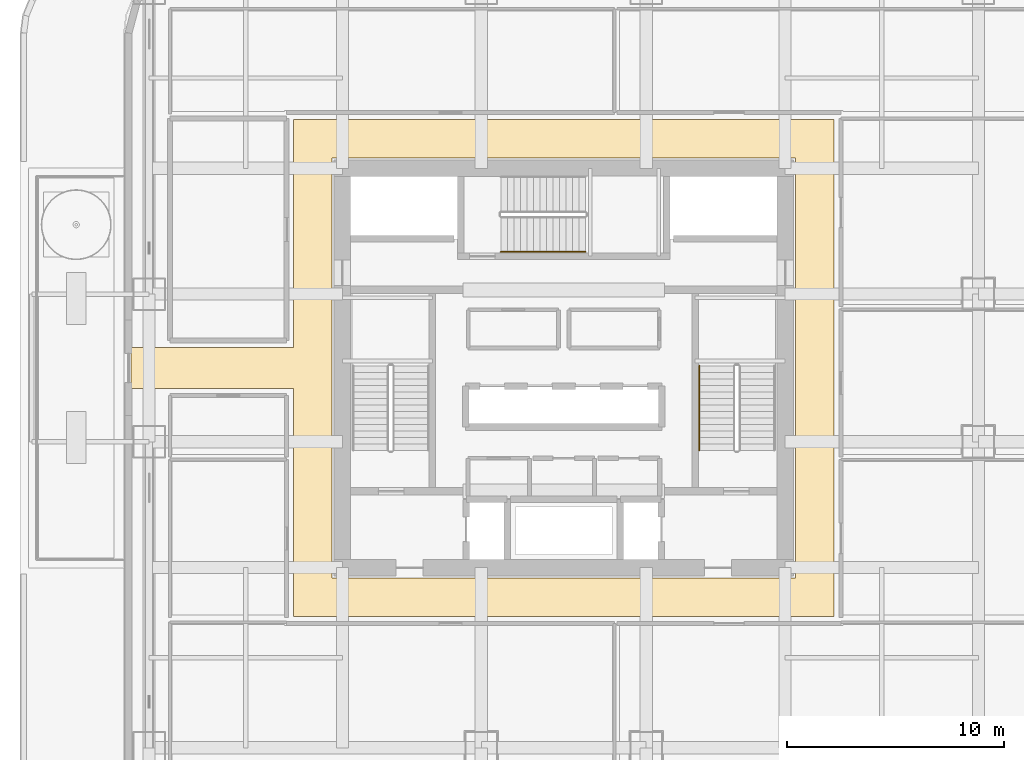
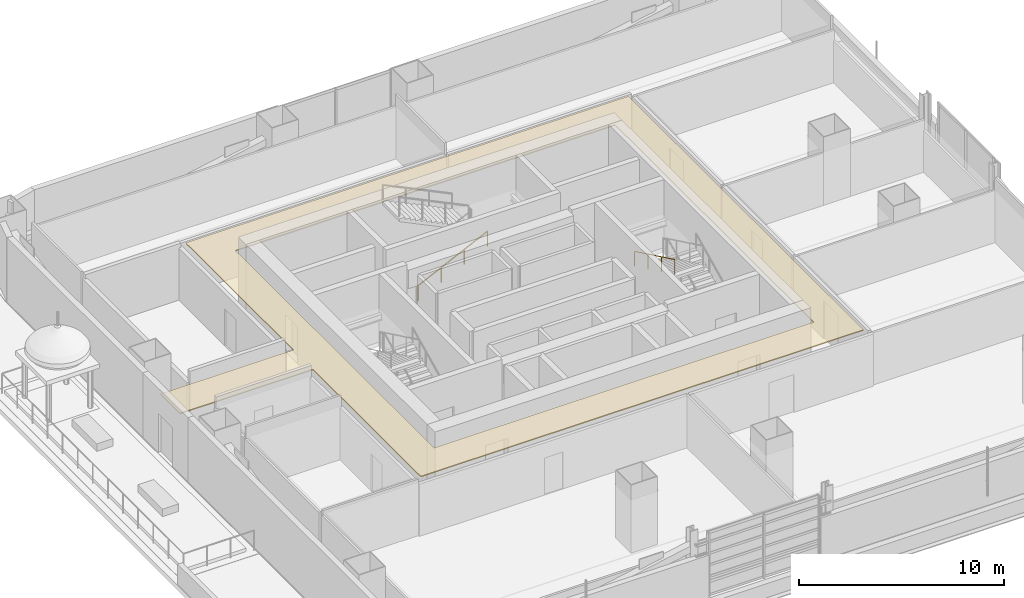
# One storey, part 19 of 27: 2 railings, 1 covering.
"""IFC4 building model written with IfcOpenShell, lengths in metres."""

from ifc_helpers import new_model, si_unit, direction, frame, origin, origin_2d, place, context, subcontext, project, spatial, polyline, circle, outline, extrude, material, layer, layer_set, type_object, element, save


model = new_model("IFC4")

# Units and contexts
model_context = context("Model", 3, precision=1e-05, world=origin(), true_north=direction((0.0, 1.0)))
body_context = subcontext(model_context, "Body", "Model", "MODEL_VIEW")
ifc_project = project(units=[si_unit("LENGTHUNIT", "METRE"), si_unit("AREAUNIT", "SQUARE_METRE"), si_unit("VOLUMEUNIT", "CUBIC_METRE"), si_unit("PLANEANGLEUNIT", "RADIAN"), si_unit("MASSUNIT", "GRAM", prefix="KILO")], contexts=[model_context])

# Site, building, storey
site_placement = place(None, origin())
site = spatial("IfcSite", under=ifc_project, at=site_placement, CompositionType="ELEMENT")
building_placement = place(site_placement, origin())
building = spatial("IfcBuilding", under=site, at=building_placement, Name="Punatoya Terracotta Tower", CompositionType="ELEMENT")
storey_placement = place(building_placement, frame((0.0, 0.0, 60.60009765625)))
storey = spatial("IfcBuildingStorey", under=building, at=storey_placement, Name="L13", CompositionType="ELEMENT", Elevation=60.60009765625)

# Covering
ifc_material_1 = material(Name="Acoustic Mineral Fibre Ceiling")
ifc_layer = layer(ifc_material_1, 0.06005859375)
ifc_layer_set = layer_set([ifc_layer], Name="Acoustic Mineral Fibre Ceiling")
covering_type = type_object("IfcCoveringType", Name="COV-CEIL-60", PredefinedType="CEILING", material=ifc_layer_set)
covering_placement = place(storey_placement, frame((0.0, 0.0, 3.159912109375)))
element("IfcCovering", 1, at=covering_placement, inside=storey, type_object=covering_type, Name="L13 Ring Circulation Corridor Acoustic Ceiling", PredefinedType="CEILING", context=body_context, shape_type="SweptSolid", body=[
    extrude(outline(polyline([(-12.449951171875, -11.449951171875), (12.449951171875, -11.449951171875), (12.449951171875, 11.449951171875), (-12.449951171875, 11.449951171875), (-12.449951171875, 0.949951171875), (-19.929931640625, 0.949951171875), (-19.929931640625, -0.949951171875), (-12.449951171875, -0.949951171875), (-12.449951171875, -11.449951171875)]), holes=[polyline([(-10.679931640625, -9.679931640625), (-10.679931640625, 9.679931640625), (10.679931640625, 9.679931640625), (10.679931640625, -9.679931640625), (-10.679931640625, -9.679931640625)])]), origin(), (0.0, 0.0, 1.0), 0.06005859375),
])

# Railings
ifc_material_2 = material(Name="Steel S355", Category="steel")
railing_type = type_object("IfcRailingType", Name="RLG-HND-900", PredefinedType="HANDRAIL", material=ifc_material_2)
railing_1_placement = place(storey_placement, frame((6.25, 0.10009765625, 2.16943359375)))
element("IfcRailing", 2, at=railing_1_placement, inside=storey, type_object=railing_type, Name="L13 ST-2 stair handrail 2", PredefinedType="HANDRAIL", context=body_context, shape_type="SweptSolid", body=[
    extrude(circle(Radius=0.02392578125, at=origin_2d()), frame((0.0, 0.0, 0.8759765625), z_axis=(0.0, -0.900773802044, 0.434288564841), x_axis=(1.0, 0.0, 0.0)), (0.0, 0.0, 1.0), 4.329833984375),
    extrude(circle(Radius=0.02099609375, at=origin_2d()), origin(), (0.0, 0.0, 1.0), 0.851806640625),
    extrude(circle(Radius=0.02099609375, at=origin_2d()), frame((0.0, -1.300048828125, 0.626708984375)), (0.0, 0.0, 1.0), 0.851806640625),
    extrude(circle(Radius=0.02099609375, at=origin_2d()), frame((0.0, -2.60009765625, 1.253662109375)), (0.0, 0.0, 1.0), 0.851806640625),
    extrude(circle(Radius=0.02099609375, at=origin_2d()), frame((0.0, -3.900146484375, 1.88037109375)), (0.0, 0.0, 1.0), 0.851806640625),
])
railing_2_placement = place(storey_placement, frame((-2.89990234375, 5.35009765625, 0.14453125)))
element("IfcRailing", 3, at=railing_2_placement, inside=storey, type_object=railing_type, Name="L13 ST-3 stair handrail 1", PredefinedType="HANDRAIL", context=body_context, shape_type="SweptSolid", body=[
    extrude(circle(Radius=0.02392578125, at=origin_2d()), frame((0.0, 0.0, 0.8759765625), z_axis=(0.900763166376, 0.0, 0.434310623978), x_axis=(0.0, 1.0, 0.0)), (0.0, 0.0, 1.0), 4.32958984375),
    extrude(circle(Radius=0.02099609375, at=origin_2d()), origin(), (0.0, 0.0, 1.0), 0.851806640625),
    extrude(circle(Radius=0.02099609375, at=origin_2d()), frame((1.300048828125, 0.0, 0.626708984375)), (0.0, 0.0, 1.0), 0.851806640625),
    extrude(circle(Radius=0.02099609375, at=origin_2d()), frame((2.599853515625, 0.0, 1.253662109375)), (0.0, 0.0, 1.0), 0.851806640625),
    extrude(circle(Radius=0.02099609375, at=origin_2d()), frame((3.89990234375, 0.0, 1.88037109375)), (0.0, 0.0, 1.0), 0.851806640625),
])

save(model, "model.ifc")
